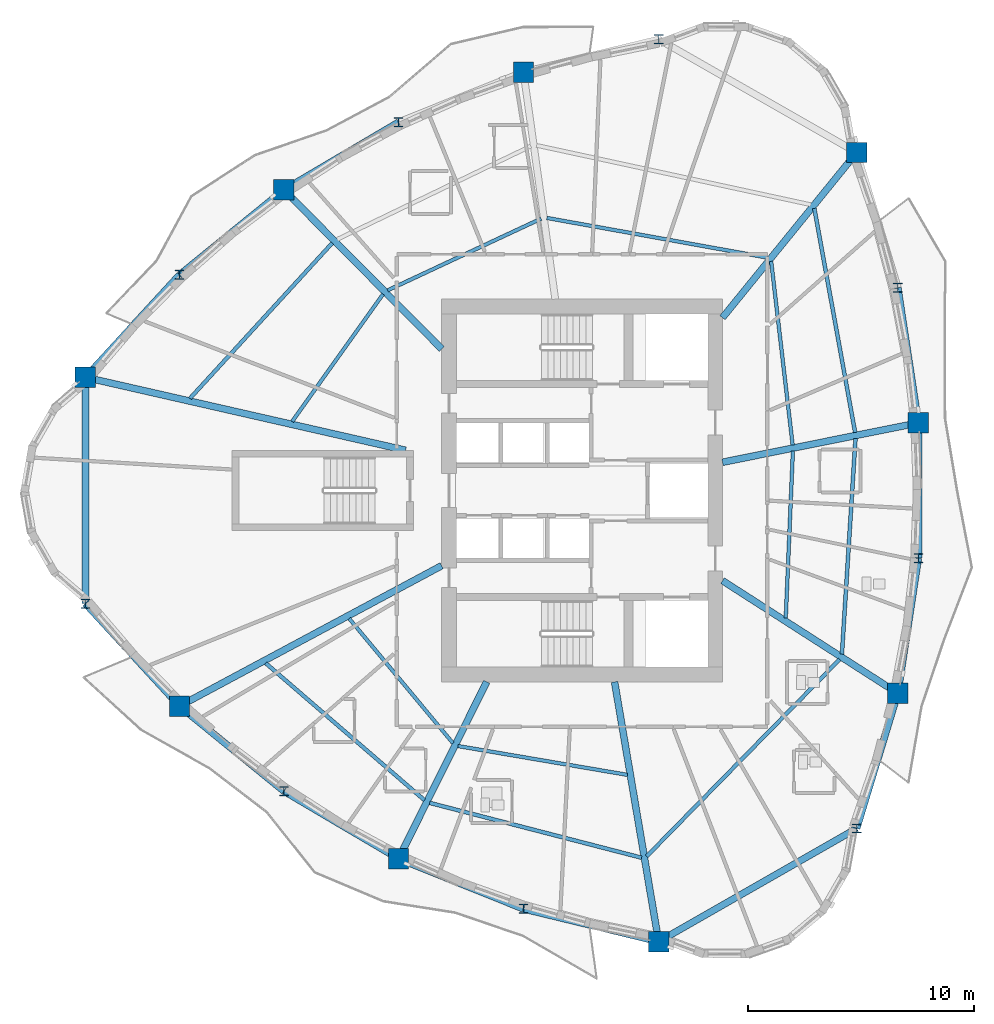
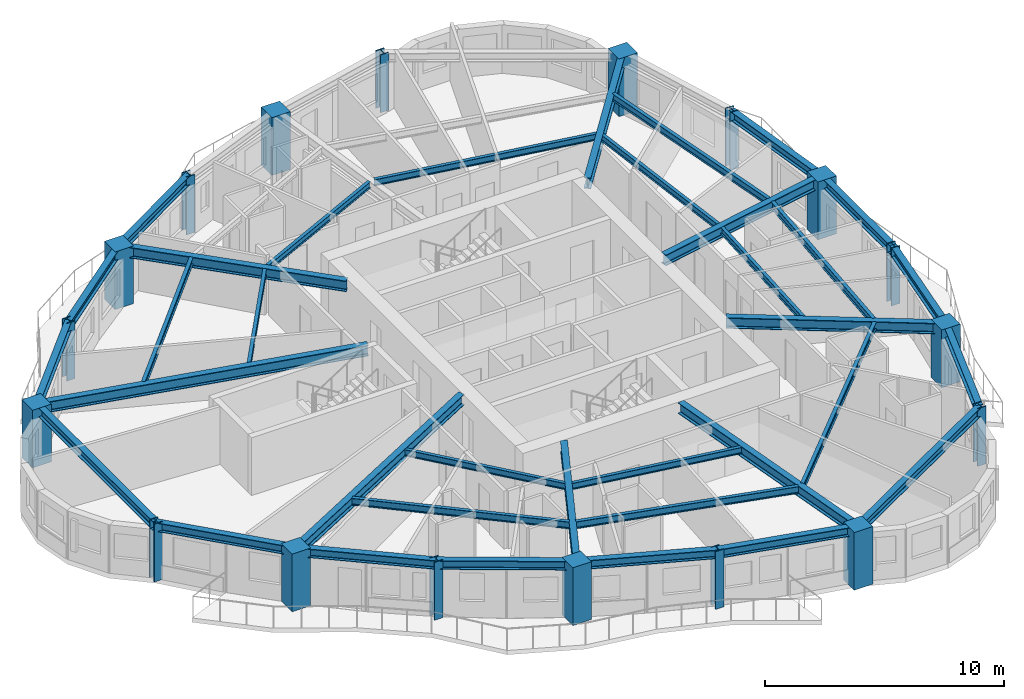
# One storey, part 1 of 13: 35 beams, 18 columns.
"""IFC4 building model written with IfcOpenShell, lengths in metres."""

from ifc_helpers import new_model, si_unit, direction, frame, origin, origin_2d, place, context, subcontext, project, spatial, rectangle, i_section, extrude, source, transform, mapped, material, material_profile, profile_set, type_object, element, save


model = new_model("IFC4")

# Units and contexts
model_context = context("Model", 3, precision=1e-05, world=origin(), true_north=direction((0.0, 1.0)))
body_context = subcontext(model_context, "Body", "Model", "MODEL_VIEW")
ifc_project = project(units=[si_unit("LENGTHUNIT", "METRE"), si_unit("AREAUNIT", "SQUARE_METRE"), si_unit("VOLUMEUNIT", "CUBIC_METRE"), si_unit("PLANEANGLEUNIT", "RADIAN"), si_unit("MASSUNIT", "GRAM", prefix="KILO")], contexts=[model_context])

# Site, building, storey
site_placement = place(None, origin())
site = spatial("IfcSite", under=ifc_project, at=site_placement, CompositionType="ELEMENT")
building_placement = place(site_placement, origin())
building = spatial("IfcBuilding", under=site, at=building_placement, Name="Qafzar Sky-Pleat Residences", CompositionType="ELEMENT")
storey_placement = place(building_placement, frame((0.0, 0.0, 99.199951171875)))
storey = spatial("IfcBuildingStorey", under=building, at=storey_placement, Name="L29", CompositionType="ELEMENT", Elevation=99.199951171875)

# Columns
ifc_material_1 = material(Name="Concrete C60/75", Category="concrete")
ifc_material_profile_1 = material_profile(ifc_material_1, rectangle(XDim=0.89990234375, YDim=0.89990234375, at=origin_2d()), Name="RC 900x900")
ifc_profile_set_1 = profile_set([ifc_material_profile_1], Name="Concrete C60/75")
column_type_1 = type_object("IfcColumnType", Name="COL-RC-900", PredefinedType="COLUMN", material=ifc_profile_set_1)
shared_shape_1 = source(origin(), body_context, "Body", "SweptSolid", [
    extrude(rectangle(XDim=0.89990234375, YDim=0.89990234375, at=origin_2d()), origin(), (0.0, 0.0, 1.0), 2.949951171875),
])
for number, where, z_axis, x_axis, name in (
    (1, (8.41943359375, 30.996337890625, 0.0), (0.0, 0.0, 1.0), (1.0, 0.0, 0.0), "L29 Perimeter Mega Column 1"),
    (2, (12.57470703125, 16.47998046875, 0.0), (0.0, 0.0, 1.0), (1.0, 0.0, 0.0), "L29 Perimeter Mega Column 3"),
    (3, (22.245849609375, 9.7412109375, 0.0), (0.0, 0.0, 1.0), (1.0, 0.0, 0.0), "L29 Perimeter Mega Column 5"),
    (4, (33.731689453125, 6.080322265625, 0.0), (0.0, 0.0, 1.0), (1.0, 0.0, 0.0), "L29 Perimeter Mega Column 7"),
    (5, (44.292236328125, 17.0458984375, 0.0), (0.0, 0.0, 1.0), (1.0, 0.0, 0.0), "L29 Perimeter Mega Column 9"),
    (6, (45.199462890625, 28.984619140625, 0.0), (0.0, 0.0, 1.0), (1.0, 0.0, 0.0), "L29 Perimeter Mega Column 11"),
    (7, (42.4775390625, 40.92333984375, 0.0), (0.0, 0.0, 1.0), (1.0, 0.0, 0.0), "L29 Perimeter Mega Column 13"),
    (8, (27.761962890625, 44.473876953125, 0.0), (0.0, 0.0, 1.0), (1.0, 0.0, 0.0), "L29 Perimeter Mega Column 15"),
    (9, (17.18359375, 39.274169921875, 0.0), (0.0, 0.0, 1.0), (1.0, 0.0, 0.0), "L29 Perimeter Mega Column 17"),
):
    element("IfcColumn", number, at=place(storey_placement, frame(where, z_axis=z_axis, x_axis=x_axis)), inside=storey, type_object=column_type_1, Name=name, PredefinedType="COLUMN", context=body_context, shape_type="MappedRepresentation", body=[
        mapped(shared_shape_1, transform((0.0, 0.0, 0.0), x_axis=(1.0, 0.0, 0.0), y_axis=(0.0, 1.0, 0.0), z_axis=(0.0, 0.0, 1.0), scale=1.0)),
    ])
ifc_material_2 = material(Name="Steel S460", Category="steel")
ifc_material_profile_2 = material_profile(ifc_material_2, i_section(OverallWidth=0.406005859375, OverallDepth=0.416015625, WebThickness=0.027099609375, FlangeThickness=0.0439453125, FilletRadius=0.014892578125, at=origin_2d()), Name="HD 400x382")
ifc_profile_set_2 = profile_set([ifc_material_profile_2], Name="Steel S460")
column_type_2 = type_object("IfcColumnType", Name="COL-STL-HD382", PredefinedType="PILASTER", material=ifc_profile_set_2)
shared_shape_2 = source(origin(), body_context, "Body", "SweptSolid", [
    extrude(i_section(OverallWidth=0.406005859375, OverallDepth=0.416015625, WebThickness=0.027099609375, FlangeThickness=0.0439453125, FilletRadius=0.014892578125, at=origin_2d()), origin(), (0.0, 0.0, 1.0), 2.949951171875),
])
for number, where, z_axis, x_axis, name in (
    (10, (8.41943359375, 21.003662109375, 0.0), (0.0, 0.0, 1.0), (1.0, 0.0, 0.0), "L29 Perimeter Mega Column 2"),
    (11, (17.18359375, 12.725830078125, 0.0), (0.0, 0.0, 1.0), (1.0, 0.0, 0.0), "L29 Perimeter Mega Column 4"),
    (12, (27.761962890625, 7.526123046875, 0.0), (0.0, 0.0, 1.0), (1.0, 0.0, 0.0), "L29 Perimeter Mega Column 6"),
    (13, (42.4775390625, 11.07666015625, 0.0), (0.0, 0.0, 1.0), (1.0, 0.0, 0.0), "L29 Perimeter Mega Column 8"),
    (14, (45.199462890625, 23.015380859375, 0.0), (0.0, 0.0, 1.0), (1.0, 0.0, 0.0), "L29 Perimeter Mega Column 10"),
    (15, (44.292236328125, 34.9541015625, 0.0), (0.0, 0.0, 1.0), (1.0, 0.0, 0.0), "L29 Perimeter Mega Column 12"),
    (16, (33.731689453125, 45.919677734375, 0.0), (0.0, 0.0, 1.0), (1.0, 0.0, 0.0), "L29 Perimeter Mega Column 14"),
    (17, (22.245849609375, 42.2587890625, 0.0), (0.0, 0.0, 1.0), (1.0, 0.0, 0.0), "L29 Perimeter Mega Column 16"),
    (18, (12.57470703125, 35.52001953125, 0.0), (0.0, 0.0, 1.0), (1.0, 0.0, 0.0), "L29 Perimeter Mega Column 18"),
):
    element("IfcColumn", number, at=place(storey_placement, frame(where, z_axis=z_axis, x_axis=x_axis)), inside=storey, type_object=column_type_2, Name=name, PredefinedType="PILASTER", context=body_context, shape_type="MappedRepresentation", body=[
        mapped(shared_shape_2, transform((0.0, 0.0, 0.0), x_axis=(1.0, 0.0, 0.0), y_axis=(0.0, 1.0, 0.0), z_axis=(0.0, 0.0, 1.0), scale=1.0)),
    ])

# Beams
ifc_material_3 = material(Name="Steel S355", Category="steel")
ifc_material_profile_3 = material_profile(ifc_material_3, i_section(OverallWidth=0.300048828125, OverallDepth=0.449951171875, WebThickness=0.013916015625, FlangeThickness=0.02587890625, FilletRadius=0.027099609375, at=origin_2d()), Name="HEB 450")
ifc_profile_set_3 = profile_set([ifc_material_profile_3], Name="Steel S355")
beam_type_1 = type_object("IfcBeamType", Name="BM-SPAN-HEB450", PredefinedType="SPANDREL", material=ifc_profile_set_3)
shared_shape_3 = source(origin(), body_context, "Body", "SweptSolid", [
    extrude(i_section(OverallWidth=0.300048828125, OverallDepth=0.449951171875, WebThickness=0.013916015625, FlangeThickness=0.02587890625, FilletRadius=0.027099609375, at=origin_2d()), origin(), (0.0, 0.0, 1.0), 9.99267578125),
])
beam_1_placement = place(storey_placement, frame((8.41943359375, 30.996337890625, 2.72314453125), z_axis=(0.0, -1.0, 0.0), x_axis=(1.0, 0.0, 0.0)))
element("IfcBeam", 19, at=beam_1_placement, inside=storey, type_object=beam_type_1, Name="L29 Perimeter Spandrel Beam 1", PredefinedType="SPANDREL", context=body_context, shape_type="MappedRepresentation", body=[
    mapped(shared_shape_3, transform((0.0, 0.0, 0.0), x_axis=(1.0, 0.0, 0.0), y_axis=(0.0, 1.0, 0.0), z_axis=(0.0, 0.0, 1.0), scale=1.0)),
])
shared_shape_4 = source(origin(), body_context, "Body", "SweptSolid", [
    extrude(i_section(OverallWidth=0.300048828125, OverallDepth=0.449951171875, WebThickness=0.013916015625, FlangeThickness=0.02587890625, FilletRadius=0.027099609375, at=origin_2d()), origin(), (0.0, 0.0, 1.0), 6.142578125),
])
for number, where, z_axis, x_axis, name in (
    (20, (8.41943359375, 21.003662109375, 2.72314453125), (0.676482000966, -0.736459165446, 0.0), (0.736459165446, 0.676482000966, 0.0), "L29 Perimeter Spandrel Beam 2"),
    (21, (12.57470703125, 35.52001953125, 2.72314453125), (-0.676482000966, -0.736459165446, 0.0), (0.736459165446, -0.676482000966, 0.0), "L29 Perimeter Spandrel Beam 18"),
):
    element("IfcBeam", number, at=place(storey_placement, frame(where, z_axis=z_axis, x_axis=x_axis)), inside=storey, type_object=beam_type_1, Name=name, PredefinedType="SPANDREL", context=body_context, shape_type="MappedRepresentation", body=[
        mapped(shared_shape_4, transform((0.0, 0.0, 0.0), x_axis=(1.0, 0.0, 0.0), y_axis=(0.0, 1.0, 0.0), z_axis=(0.0, 0.0, 1.0), scale=1.0)),
    ])
shared_shape_5 = source(origin(), body_context, "Body", "SweptSolid", [
    extrude(i_section(OverallWidth=0.300048828125, OverallDepth=0.449951171875, WebThickness=0.013916015625, FlangeThickness=0.02587890625, FilletRadius=0.027099609375, at=origin_2d()), origin(), (0.0, 0.0, 1.0), 5.9443359375),
])
for number, where, z_axis, x_axis, name in (
    (22, (12.57470703125, 16.47998046875, 2.72314453125), (0.775337026336, -0.631547698589, 0.0), (0.631547698589, 0.775337026336, 0.0), "L29 Perimeter Spandrel Beam 3"),
    (23, (22.245849609375, 9.7412109375, 2.72314453125), (0.927974486614, -0.372643733604, 0.0), (0.372643733604, 0.927974486614, 0.0), "L29 Perimeter Spandrel Beam 5"),
    (24, (17.18359375, 39.274169921875, 2.72314453125), (-0.775337026336, -0.631547698589, 0.0), (0.631547698589, -0.775337026336, 0.0), "L29 Perimeter Spandrel Beam 17"),
):
    element("IfcBeam", number, at=place(storey_placement, frame(where, z_axis=z_axis, x_axis=x_axis)), inside=storey, type_object=beam_type_1, Name=name, PredefinedType="SPANDREL", context=body_context, shape_type="MappedRepresentation", body=[
        mapped(shared_shape_5, transform((0.0, 0.0, 0.0), x_axis=(1.0, 0.0, 0.0), y_axis=(0.0, 1.0, 0.0), z_axis=(0.0, 0.0, 1.0), scale=1.0)),
    ])
shared_shape_6 = source(origin(), body_context, "Body", "SweptSolid", [
    extrude(i_section(OverallWidth=0.300048828125, OverallDepth=0.449951171875, WebThickness=0.013916015625, FlangeThickness=0.02587890625, FilletRadius=0.027099609375, at=origin_2d()), origin(), (0.0, 0.0, 1.0), 5.876708984375),
])
for number, where, z_axis, x_axis, name in (
    (25, (17.18359375, 12.725830078125, 2.72314453125), (0.861426491519, -0.507882269536, 0.0), (0.507882269536, 0.861426491519, 0.0), "L29 Perimeter Spandrel Beam 4"),
    (26, (22.245849609375, 42.2587890625, 2.72314453125), (-0.861426491519, -0.507882269536, 0.0), (0.507882269536, -0.861426491519, 0.0), "L29 Perimeter Spandrel Beam 16"),
):
    element("IfcBeam", number, at=place(storey_placement, frame(where, z_axis=z_axis, x_axis=x_axis)), inside=storey, type_object=beam_type_1, Name=name, PredefinedType="SPANDREL", context=body_context, shape_type="MappedRepresentation", body=[
        mapped(shared_shape_6, transform((0.0, 0.0, 0.0), x_axis=(1.0, 0.0, 0.0), y_axis=(0.0, 1.0, 0.0), z_axis=(0.0, 0.0, 1.0), scale=1.0)),
    ])
shared_shape_7 = source(origin(), body_context, "Body", "SweptSolid", [
    extrude(i_section(OverallWidth=0.300048828125, OverallDepth=0.449951171875, WebThickness=0.013916015625, FlangeThickness=0.02587890625, FilletRadius=0.027099609375, at=origin_2d()), origin(), (0.0, 0.0, 1.0), 6.142333984375),
])
beam_2_placement = place(storey_placement, frame((27.761962890625, 7.526123046875, 2.72314453125), z_axis=(0.971902480603, -0.235383874126, 0.0), x_axis=(0.235383874126, 0.971902480603, 0.0)))
element("IfcBeam", 27, at=beam_2_placement, inside=storey, type_object=beam_type_1, Name="L29 Perimeter Spandrel Beam 6", PredefinedType="SPANDREL", context=body_context, shape_type="MappedRepresentation", body=[
    mapped(shared_shape_7, transform((0.0, 0.0, 0.0), x_axis=(1.0, 0.0, 0.0), y_axis=(0.0, 1.0, 0.0), z_axis=(0.0, 0.0, 1.0), scale=1.0)),
])
shared_shape_8 = source(origin(), body_context, "Body", "SweptSolid", [
    extrude(i_section(OverallWidth=0.300048828125, OverallDepth=0.449951171875, WebThickness=0.013916015625, FlangeThickness=0.02587890625, FilletRadius=0.027099609375, at=origin_2d()), origin(), (0.0, 0.0, 1.0), 10.072509765625),
])
beam_3_placement = place(storey_placement, frame((33.731689453125, 6.080322265625, 2.72314453125), z_axis=(0.868298326114, 0.496042353905, 0.0), x_axis=(-0.496042353905, 0.868298326114, 0.0)))
element("IfcBeam", 28, at=beam_3_placement, inside=storey, type_object=beam_type_1, Name="L29 Perimeter Spandrel Beam 7", PredefinedType="SPANDREL", context=body_context, shape_type="MappedRepresentation", body=[
    mapped(shared_shape_8, transform((0.0, 0.0, 0.0), x_axis=(1.0, 0.0, 0.0), y_axis=(0.0, 1.0, 0.0), z_axis=(0.0, 0.0, 1.0), scale=1.0)),
])
shared_shape_9 = source(origin(), body_context, "Body", "SweptSolid", [
    extrude(i_section(OverallWidth=0.300048828125, OverallDepth=0.449951171875, WebThickness=0.013916015625, FlangeThickness=0.02587890625, FilletRadius=0.027099609375, at=origin_2d()), origin(), (0.0, 0.0, 1.0), 6.239013671875),
])
beam_4_placement = place(storey_placement, frame((42.4775390625, 11.07666015625, 2.72314453125), z_axis=(0.290864189028, 0.956764351103, 0.0), x_axis=(-0.956764351103, 0.290864189028, 0.0)))
element("IfcBeam", 29, at=beam_4_placement, inside=storey, type_object=beam_type_1, Name="L29 Perimeter Spandrel Beam 8", PredefinedType="SPANDREL", context=body_context, shape_type="MappedRepresentation", body=[
    mapped(shared_shape_9, transform((0.0, 0.0, 0.0), x_axis=(1.0, 0.0, 0.0), y_axis=(0.0, 1.0, 0.0), z_axis=(0.0, 0.0, 1.0), scale=1.0)),
])
shared_shape_10 = source(origin(), body_context, "Body", "SweptSolid", [
    extrude(i_section(OverallWidth=0.300048828125, OverallDepth=0.449951171875, WebThickness=0.013916015625, FlangeThickness=0.02587890625, FilletRadius=0.027099609375, at=origin_2d()), origin(), (0.0, 0.0, 1.0), 6.0380859375),
])
for number, where, z_axis, x_axis, name in (
    (30, (44.292236328125, 17.0458984375, 2.72314453125), (0.150252132609, 0.988647711092, 0.0), (-0.988647711092, 0.150252132609, 0.0), "L29 Perimeter Spandrel Beam 9"),
    (31, (45.199462890625, 28.984619140625, 2.72314453125), (-0.150252132609, 0.988647711092, 0.0), (-0.988647711092, -0.150252132609, 0.0), "L29 Perimeter Spandrel Beam 11"),
):
    element("IfcBeam", number, at=place(storey_placement, frame(where, z_axis=z_axis, x_axis=x_axis)), inside=storey, type_object=beam_type_1, Name=name, PredefinedType="SPANDREL", context=body_context, shape_type="MappedRepresentation", body=[
        mapped(shared_shape_10, transform((0.0, 0.0, 0.0), x_axis=(1.0, 0.0, 0.0), y_axis=(0.0, 1.0, 0.0), z_axis=(0.0, 0.0, 1.0), scale=1.0)),
    ])
shared_shape_11 = source(origin(), body_context, "Body", "SweptSolid", [
    extrude(i_section(OverallWidth=0.300048828125, OverallDepth=0.449951171875, WebThickness=0.013916015625, FlangeThickness=0.02587890625, FilletRadius=0.027099609375, at=origin_2d()), origin(), (0.0, 0.0, 1.0), 5.96923828125),
])
beam_5_placement = place(storey_placement, frame((45.199462890625, 23.015380859375, 2.72314453125), z_axis=(0.0, 1.0, 0.0), x_axis=(-1.0, 0.0, 0.0)))
element("IfcBeam", 32, at=beam_5_placement, inside=storey, type_object=beam_type_1, Name="L29 Perimeter Spandrel Beam 10", PredefinedType="SPANDREL", context=body_context, shape_type="MappedRepresentation", body=[
    mapped(shared_shape_11, transform((0.0, 0.0, 0.0), x_axis=(1.0, 0.0, 0.0), y_axis=(0.0, 1.0, 0.0), z_axis=(0.0, 0.0, 1.0), scale=1.0)),
])
ifc_material_profile_4 = material_profile(ifc_material_3, i_section(OverallWidth=0.300048828125, OverallDepth=0.550048828125, WebThickness=0.014892578125, FlangeThickness=0.029052734375, FilletRadius=0.027099609375, at=origin_2d()), Name="HEB 550")
ifc_profile_set_4 = profile_set([ifc_material_profile_4], Name="Steel S355")
beam_type_2 = type_object("IfcBeamType", Name="BM-GIRD-HEB550", PredefinedType="BEAM", material=ifc_profile_set_4)
shared_shape_12 = source(origin(), body_context, "Body", "SweptSolid", [
    extrude(i_section(OverallWidth=0.300048828125, OverallDepth=0.550048828125, WebThickness=0.014892578125, FlangeThickness=0.029052734375, FilletRadius=0.027099609375, at=origin_2d()), origin(), (0.0, 0.0, 1.0), 14.501708984375),
])
beam_6_placement = place(storey_placement, frame((8.41943359375, 30.996337890625, 2.673095703125), z_axis=(0.975014473229, -0.22214134463, 0.0), x_axis=(0.22214134463, 0.975014473229, 0.0)))
element("IfcBeam", 33, at=beam_6_placement, inside=storey, type_object=beam_type_2, Name="L29 Radial Floor Girder 1", PredefinedType="BEAM", context=body_context, shape_type="MappedRepresentation", body=[
    mapped(shared_shape_12, transform((0.0, 0.0, 0.0), x_axis=(1.0, 0.0, 0.0), y_axis=(0.0, 1.0, 0.0), z_axis=(0.0, 0.0, 1.0), scale=1.0)),
])
shared_shape_13 = source(origin(), body_context, "Body", "SweptSolid", [
    extrude(i_section(OverallWidth=0.300048828125, OverallDepth=0.550048828125, WebThickness=0.014892578125, FlangeThickness=0.029052734375, FilletRadius=0.027099609375, at=origin_2d()), origin(), (0.0, 0.0, 1.0), 13.130859375),
])
beam_7_placement = place(storey_placement, frame((12.57470703125, 16.47998046875, 2.673095703125), z_axis=(0.881528612893, 0.472130601265, 0.0), x_axis=(-0.472130601265, 0.881528612893, 0.0)))
element("IfcBeam", 34, at=beam_7_placement, inside=storey, type_object=beam_type_2, Name="L29 Radial Floor Girder 3", PredefinedType="BEAM", context=body_context, shape_type="MappedRepresentation", body=[
    mapped(shared_shape_13, transform((0.0, 0.0, 0.0), x_axis=(1.0, 0.0, 0.0), y_axis=(0.0, 1.0, 0.0), z_axis=(0.0, 0.0, 1.0), scale=1.0)),
])
shared_shape_14 = source(origin(), body_context, "Body", "SweptSolid", [
    extrude(i_section(OverallWidth=0.300048828125, OverallDepth=0.550048828125, WebThickness=0.014892578125, FlangeThickness=0.029052734375, FilletRadius=0.027099609375, at=origin_2d()), origin(), (0.0, 0.0, 1.0), 8.72509765625),
])
beam_8_placement = place(storey_placement, frame((22.245849609375, 9.7412109375, 2.673095703125), z_axis=(0.446105194509, 0.894980533549, 0.0), x_axis=(-0.894980533549, 0.446105194509, 0.0)))
element("IfcBeam", 35, at=beam_8_placement, inside=storey, type_object=beam_type_2, Name="L29 Radial Floor Girder 5", PredefinedType="BEAM", context=body_context, shape_type="MappedRepresentation", body=[
    mapped(shared_shape_14, transform((0.0, 0.0, 0.0), x_axis=(1.0, 0.0, 0.0), y_axis=(0.0, 1.0, 0.0), z_axis=(0.0, 0.0, 1.0), scale=1.0)),
])
shared_shape_15 = source(origin(), body_context, "Body", "SweptSolid", [
    extrude(i_section(OverallWidth=0.300048828125, OverallDepth=0.550048828125, WebThickness=0.014892578125, FlangeThickness=0.029052734375, FilletRadius=0.027099609375, at=origin_2d()), origin(), (0.0, 0.0, 1.0), 11.6337890625),
])
beam_9_placement = place(storey_placement, frame((33.731689453125, 6.080322265625, 2.673095703125), z_axis=(-0.167358895541, 0.985896039186, 0.0), x_axis=(-0.985896039186, -0.167358895541, 0.0)))
element("IfcBeam", 36, at=beam_9_placement, inside=storey, type_object=beam_type_2, Name="L29 Radial Floor Girder 7", PredefinedType="BEAM", context=body_context, shape_type="MappedRepresentation", body=[
    mapped(shared_shape_15, transform((0.0, 0.0, 0.0), x_axis=(1.0, 0.0, 0.0), y_axis=(0.0, 1.0, 0.0), z_axis=(0.0, 0.0, 1.0), scale=1.0)),
])
shared_shape_16 = source(origin(), body_context, "Body", "SweptSolid", [
    extrude(i_section(OverallWidth=0.300048828125, OverallDepth=0.550048828125, WebThickness=0.014892578125, FlangeThickness=0.029052734375, FilletRadius=0.027099609375, at=origin_2d()), origin(), (0.0, 0.0, 1.0), 9.201416015625),
])
beam_10_placement = place(storey_placement, frame((44.292236328125, 17.0458984375, 2.673095703125), z_axis=(-0.841411158947, 0.540395467781, 0.0), x_axis=(-0.540395467781, -0.841411158947, 0.0)))
element("IfcBeam", 37, at=beam_10_placement, inside=storey, type_object=beam_type_2, Name="L29 Radial Floor Girder 9", PredefinedType="BEAM", context=body_context, shape_type="MappedRepresentation", body=[
    mapped(shared_shape_16, transform((0.0, 0.0, 0.0), x_axis=(1.0, 0.0, 0.0), y_axis=(0.0, 1.0, 0.0), z_axis=(0.0, 0.0, 1.0), scale=1.0)),
])
shared_shape_17 = source(origin(), body_context, "Body", "SweptSolid", [
    extrude(i_section(OverallWidth=0.300048828125, OverallDepth=0.550048828125, WebThickness=0.014892578125, FlangeThickness=0.029052734375, FilletRadius=0.027099609375, at=origin_2d()), origin(), (0.0, 0.0, 1.0), 8.822509765625),
])
beam_11_placement = place(storey_placement, frame((45.199462890625, 28.984619140625, 2.673095703125), z_axis=(-0.980391835396, -0.197057984076, 0.0), x_axis=(0.197057984076, -0.980391835396, 0.0)))
element("IfcBeam", 38, at=beam_11_placement, inside=storey, type_object=beam_type_2, Name="L29 Radial Floor Girder 11", PredefinedType="BEAM", context=body_context, shape_type="MappedRepresentation", body=[
    mapped(shared_shape_17, transform((0.0, 0.0, 0.0), x_axis=(1.0, 0.0, 0.0), y_axis=(0.0, 1.0, 0.0), z_axis=(0.0, 0.0, 1.0), scale=1.0)),
])
shared_shape_18 = source(origin(), body_context, "Body", "SweptSolid", [
    extrude(i_section(OverallWidth=0.300048828125, OverallDepth=0.550048828125, WebThickness=0.014892578125, FlangeThickness=0.029052734375, FilletRadius=0.027099609375, at=origin_2d()), origin(), (0.0, 0.0, 1.0), 9.398681640625),
])
beam_12_placement = place(storey_placement, frame((42.4775390625, 40.92333984375, 2.673095703125), z_axis=(-0.630666943609, -0.776053610415, 0.0), x_axis=(0.776053610415, -0.630666943609, 0.0)))
element("IfcBeam", 39, at=beam_12_placement, inside=storey, type_object=beam_type_2, Name="L29 Radial Floor Girder 13", PredefinedType="BEAM", context=body_context, shape_type="MappedRepresentation", body=[
    mapped(shared_shape_18, transform((0.0, 0.0, 0.0), x_axis=(1.0, 0.0, 0.0), y_axis=(0.0, 1.0, 0.0), z_axis=(0.0, 0.0, 1.0), scale=1.0)),
])
shared_shape_19 = source(origin(), body_context, "Body", "SweptSolid", [
    extrude(i_section(OverallWidth=0.300048828125, OverallDepth=0.550048828125, WebThickness=0.014892578125, FlangeThickness=0.029052734375, FilletRadius=0.027099609375, at=origin_2d()), origin(), (0.0, 0.0, 1.0), 9.892333984375),
])
beam_13_placement = place(storey_placement, frame((17.18359375, 39.274169921875, 2.673095703125), z_axis=(0.704213349063, -0.709988421737, 0.0), x_axis=(0.709988421737, 0.704213349063, 0.0)))
element("IfcBeam", 40, at=beam_13_placement, inside=storey, type_object=beam_type_2, Name="L29 Radial Floor Girder 17", PredefinedType="BEAM", context=body_context, shape_type="MappedRepresentation", body=[
    mapped(shared_shape_19, transform((0.0, 0.0, 0.0), x_axis=(1.0, 0.0, 0.0), y_axis=(0.0, 1.0, 0.0), z_axis=(0.0, 0.0, 1.0), scale=1.0)),
])
ifc_material_profile_5 = material_profile(ifc_material_3, i_section(OverallWidth=0.169921875, OverallDepth=0.360107421875, WebThickness=0.008056640625, FlangeThickness=0.0126953125, FilletRadius=0.01806640625, at=origin_2d()), Name="IPE 360")
ifc_profile_set_5 = profile_set([ifc_material_profile_5], Name="Steel S355")
beam_type_3 = type_object("IfcBeamType", Name="BM-JST-IPE360", PredefinedType="JOIST", material=ifc_profile_set_5)
shared_shape_20 = source(origin(), body_context, "Body", "SweptSolid", [
    extrude(i_section(OverallWidth=0.169921875, OverallDepth=0.360107421875, WebThickness=0.008056640625, FlangeThickness=0.0126953125, FilletRadius=0.01806640625, at=origin_2d()), origin(), (0.0, 0.0, 1.0), 9.256591796875),
])
beam_14_placement = place(storey_placement, frame((16.381103515625, 18.37548828125, 2.76806640625), z_axis=(0.757092779246, -0.653307372998, 0.0), x_axis=(0.653307372998, 0.757092779246, 0.0)))
element("IfcBeam", 41, at=beam_14_placement, inside=storey, type_object=beam_type_3, Name="L29 Outer Secondary Floor Joist 2", PredefinedType="JOIST", context=body_context, shape_type="MappedRepresentation", body=[
    mapped(shared_shape_20, transform((0.0, 0.0, 0.0), x_axis=(1.0, 0.0, 0.0), y_axis=(0.0, 1.0, 0.0), z_axis=(0.0, 0.0, 1.0), scale=1.0)),
])
shared_shape_21 = source(origin(), body_context, "Body", "SweptSolid", [
    extrude(i_section(OverallWidth=0.169921875, OverallDepth=0.360107421875, WebThickness=0.008056640625, FlangeThickness=0.0126953125, FilletRadius=0.01806640625, at=origin_2d()), origin(), (0.0, 0.0, 1.0), 9.664306640625),
])
beam_15_placement = place(storey_placement, frame((23.6220703125, 12.206298828125, 2.76806640625), z_axis=(0.968090929501, -0.250599186385, 0.0), x_axis=(0.250599186385, 0.968090929501, 0.0)))
element("IfcBeam", 42, at=beam_15_placement, inside=storey, type_object=beam_type_3, Name="L29 Outer Secondary Floor Joist 3", PredefinedType="JOIST", context=body_context, shape_type="MappedRepresentation", body=[
    mapped(shared_shape_21, transform((0.0, 0.0, 0.0), x_axis=(1.0, 0.0, 0.0), y_axis=(0.0, 1.0, 0.0), z_axis=(0.0, 0.0, 1.0), scale=1.0)),
])
shared_shape_22 = source(origin(), body_context, "Body", "SweptSolid", [
    extrude(i_section(OverallWidth=0.169921875, OverallDepth=0.360107421875, WebThickness=0.008056640625, FlangeThickness=0.0126953125, FilletRadius=0.01806640625, at=origin_2d()), origin(), (0.0, 0.0, 1.0), 12.17041015625),
])
beam_16_placement = place(storey_placement, frame((33.203125, 9.84716796875, 2.76806640625), z_axis=(0.699817856414, 0.714321333746, 0.0), x_axis=(-0.714321333746, 0.699817856414, 0.0)))
element("IfcBeam", 43, at=beam_16_placement, inside=storey, type_object=beam_type_3, Name="L29 Outer Secondary Floor Joist 4", PredefinedType="JOIST", context=body_context, shape_type="MappedRepresentation", body=[
    mapped(shared_shape_22, transform((0.0, 0.0, 0.0), x_axis=(1.0, 0.0, 0.0), y_axis=(0.0, 1.0, 0.0), z_axis=(0.0, 0.0, 1.0), scale=1.0)),
])
shared_shape_23 = source(origin(), body_context, "Body", "SweptSolid", [
    extrude(i_section(OverallWidth=0.169921875, OverallDepth=0.360107421875, WebThickness=0.008056640625, FlangeThickness=0.0126953125, FilletRadius=0.01806640625, at=origin_2d()), origin(), (0.0, 0.0, 1.0), 9.540771484375),
])
beam_17_placement = place(storey_placement, frame((41.8232421875, 18.771728515625, 2.76806640625), z_axis=(0.062872135971, 0.998021590207, 0.0), x_axis=(-0.998021590207, 0.062872135971, 0.0)))
element("IfcBeam", 44, at=beam_17_placement, inside=storey, type_object=beam_type_3, Name="L29 Outer Secondary Floor Joist 5", PredefinedType="JOIST", context=body_context, shape_type="MappedRepresentation", body=[
    mapped(shared_shape_23, transform((0.0, 0.0, 0.0), x_axis=(1.0, 0.0, 0.0), y_axis=(0.0, 1.0, 0.0), z_axis=(0.0, 0.0, 1.0), scale=1.0)),
])
shared_shape_24 = source(origin(), body_context, "Body", "SweptSolid", [
    extrude(i_section(OverallWidth=0.169921875, OverallDepth=0.360107421875, WebThickness=0.008056640625, FlangeThickness=0.0126953125, FilletRadius=0.01806640625, at=origin_2d()), origin(), (0.0, 0.0, 1.0), 10.057861328125),
])
beam_18_placement = place(storey_placement, frame((42.407470703125, 28.561279296875, 2.76806640625), z_axis=(-0.179212248555, 0.98381043396, 0.0), x_axis=(-0.98381043396, -0.179212248555, 0.0)))
element("IfcBeam", 45, at=beam_18_placement, inside=storey, type_object=beam_type_3, Name="L29 Outer Secondary Floor Joist 6", PredefinedType="JOIST", context=body_context, shape_type="MappedRepresentation", body=[
    mapped(shared_shape_24, transform((0.0, 0.0, 0.0), x_axis=(1.0, 0.0, 0.0), y_axis=(0.0, 1.0, 0.0), z_axis=(0.0, 0.0, 1.0), scale=1.0)),
])
shared_shape_25 = source(origin(), body_context, "Body", "SweptSolid", [
    extrude(i_section(OverallWidth=0.169921875, OverallDepth=0.360107421875, WebThickness=0.008056640625, FlangeThickness=0.0126953125, FilletRadius=0.01806640625, at=origin_2d()), origin(), (0.0, 0.0, 1.0), 9.30615234375),
])
beam_19_placement = place(storey_placement, frame((19.321533203125, 36.927001953125, 2.76806640625), z_axis=(-0.675485809651, -0.737372986324, 0.0), x_axis=(0.737372986324, -0.675485809651, 0.0)))
element("IfcBeam", 46, at=beam_19_placement, inside=storey, type_object=beam_type_3, Name="L29 Outer Secondary Floor Joist 9", PredefinedType="JOIST", context=body_context, shape_type="MappedRepresentation", body=[
    mapped(shared_shape_25, transform((0.0, 0.0, 0.0), x_axis=(1.0, 0.0, 0.0), y_axis=(0.0, 1.0, 0.0), z_axis=(0.0, 0.0, 1.0), scale=1.0)),
])
ifc_material_profile_6 = material_profile(ifc_material_3, i_section(OverallWidth=0.159912109375, OverallDepth=0.330078125, WebThickness=0.007568359375, FlangeThickness=0.011474609375, FilletRadius=0.01806640625, at=origin_2d()), Name="IPE 330")
ifc_profile_set_6 = profile_set([ifc_material_profile_6], Name="Steel S355")
beam_type_4 = type_object("IfcBeamType", Name="BM-JST-IPE330", PredefinedType="JOIST", material=ifc_profile_set_6)
shared_shape_26 = source(origin(), body_context, "Body", "SweptSolid", [
    extrude(i_section(OverallWidth=0.159912109375, OverallDepth=0.330078125, WebThickness=0.007568359375, FlangeThickness=0.011474609375, FilletRadius=0.01806640625, at=origin_2d()), origin(), (0.0, 0.0, 1.0), 7.1591796875),
])
beam_20_placement = place(storey_placement, frame((20.0693359375, 20.343994140625, 2.782958984375), z_axis=(0.639895882468, -0.76846161882, 0.0), x_axis=(0.76846161882, 0.639895882468, 0.0)))
element("IfcBeam", 47, at=beam_20_placement, inside=storey, type_object=beam_type_4, Name="L29 Inner Secondary Floor Joist 2", PredefinedType="JOIST", context=body_context, shape_type="MappedRepresentation", body=[
    mapped(shared_shape_26, transform((0.0, 0.0, 0.0), x_axis=(1.0, 0.0, 0.0), y_axis=(0.0, 1.0, 0.0), z_axis=(0.0, 0.0, 1.0), scale=1.0)),
])
shared_shape_27 = source(origin(), body_context, "Body", "SweptSolid", [
    extrude(i_section(OverallWidth=0.159912109375, OverallDepth=0.330078125, WebThickness=0.007568359375, FlangeThickness=0.011474609375, FilletRadius=0.01806640625, at=origin_2d()), origin(), (0.0, 0.0, 1.0), 7.58984375),
])
beam_21_placement = place(storey_placement, frame((24.8701171875, 14.71630859375, 2.782958984375), z_axis=(0.985840748867, -0.167684280339, 0.0), x_axis=(0.167684280339, 0.985840748867, 0.0)))
element("IfcBeam", 48, at=beam_21_placement, inside=storey, type_object=beam_type_4, Name="L29 Inner Secondary Floor Joist 3", PredefinedType="JOIST", context=body_context, shape_type="MappedRepresentation", body=[
    mapped(shared_shape_27, transform((0.0, 0.0, 0.0), x_axis=(1.0, 0.0, 0.0), y_axis=(0.0, 1.0, 0.0), z_axis=(0.0, 0.0, 1.0), scale=1.0)),
])
shared_shape_28 = source(origin(), body_context, "Body", "SweptSolid", [
    extrude(i_section(OverallWidth=0.159912109375, OverallDepth=0.330078125, WebThickness=0.007568359375, FlangeThickness=0.011474609375, FilletRadius=0.01806640625, at=origin_2d()), origin(), (0.0, 0.0, 1.0), 7.381103515625),
])
beam_22_placement = place(storey_placement, frame((39.343017578125, 20.363037109375, 2.782958984375), z_axis=(0.042702281194, 0.999087841574, 0.0), x_axis=(-0.999087841574, 0.042702281194, 0.0)))
element("IfcBeam", 49, at=beam_22_placement, inside=storey, type_object=beam_type_4, Name="L29 Inner Secondary Floor Joist 5", PredefinedType="JOIST", context=body_context, shape_type="MappedRepresentation", body=[
    mapped(shared_shape_28, transform((0.0, 0.0, 0.0), x_axis=(1.0, 0.0, 0.0), y_axis=(0.0, 1.0, 0.0), z_axis=(0.0, 0.0, 1.0), scale=1.0)),
])
shared_shape_29 = source(origin(), body_context, "Body", "SweptSolid", [
    extrude(i_section(OverallWidth=0.159912109375, OverallDepth=0.330078125, WebThickness=0.007568359375, FlangeThickness=0.011474609375, FilletRadius=0.01806640625, at=origin_2d()), origin(), (0.0, 0.0, 1.0), 8.170166015625),
])
beam_23_placement = place(storey_placement, frame((39.648193359375, 28.006103515625, 2.782958984375), z_axis=(-0.116090499601, 0.993238639956, 0.0), x_axis=(-0.993238639956, -0.116090499601, 0.0)))
element("IfcBeam", 50, at=beam_23_placement, inside=storey, type_object=beam_type_4, Name="L29 Inner Secondary Floor Joist 6", PredefinedType="JOIST", context=body_context, shape_type="MappedRepresentation", body=[
    mapped(shared_shape_29, transform((0.0, 0.0, 0.0), x_axis=(1.0, 0.0, 0.0), y_axis=(0.0, 1.0, 0.0), z_axis=(0.0, 0.0, 1.0), scale=1.0)),
])
shared_shape_30 = source(origin(), body_context, "Body", "SweptSolid", [
    extrude(i_section(OverallWidth=0.159912109375, OverallDepth=0.330078125, WebThickness=0.007568359375, FlangeThickness=0.011474609375, FilletRadius=0.01806640625, at=origin_2d()), origin(), (0.0, 0.0, 1.0), 9.9140625),
])
beam_24_placement = place(storey_placement, frame((38.551025390625, 36.279052734375, 2.782958984375), z_axis=(-0.984195686965, 0.17708430128, 0.0), x_axis=(-0.17708430128, -0.984195686965, 0.0)))
element("IfcBeam", 51, at=beam_24_placement, inside=storey, type_object=beam_type_4, Name="L29 Inner Secondary Floor Joist 7", PredefinedType="JOIST", context=body_context, shape_type="MappedRepresentation", body=[
    mapped(shared_shape_30, transform((0.0, 0.0, 0.0), x_axis=(1.0, 0.0, 0.0), y_axis=(0.0, 1.0, 0.0), z_axis=(0.0, 0.0, 1.0), scale=1.0)),
])
shared_shape_31 = source(origin(), body_context, "Body", "SweptSolid", [
    extrude(i_section(OverallWidth=0.159912109375, OverallDepth=0.330078125, WebThickness=0.007568359375, FlangeThickness=0.011474609375, FilletRadius=0.01806640625, at=origin_2d()), origin(), (0.0, 0.0, 1.0), 7.47705078125),
])
beam_25_placement = place(storey_placement, frame((28.538330078125, 38.00146484375, 2.782958984375), z_axis=(-0.90597197859, -0.42333765957, 0.0), x_axis=(0.42333765957, -0.90597197859, 0.0)))
element("IfcBeam", 52, at=beam_25_placement, inside=storey, type_object=beam_type_4, Name="L29 Inner Secondary Floor Joist 8", PredefinedType="JOIST", context=body_context, shape_type="MappedRepresentation", body=[
    mapped(shared_shape_31, transform((0.0, 0.0, 0.0), x_axis=(1.0, 0.0, 0.0), y_axis=(0.0, 1.0, 0.0), z_axis=(0.0, 0.0, 1.0), scale=1.0)),
])
shared_shape_32 = source(origin(), body_context, "Body", "SweptSolid", [
    extrude(i_section(OverallWidth=0.159912109375, OverallDepth=0.330078125, WebThickness=0.007568359375, FlangeThickness=0.011474609375, FilletRadius=0.01806640625, at=origin_2d()), origin(), (0.0, 0.0, 1.0), 6.91162109375),
])
beam_26_placement = place(storey_placement, frame((21.563720703125, 34.669189453125, 2.782958984375), z_axis=(-0.58113460659, -0.813807452057, 0.0), x_axis=(0.813807452057, -0.58113460659, 0.0)))
element("IfcBeam", 53, at=beam_26_placement, inside=storey, type_object=beam_type_4, Name="L29 Inner Secondary Floor Joist 9", PredefinedType="JOIST", context=body_context, shape_type="MappedRepresentation", body=[
    mapped(shared_shape_32, transform((0.0, 0.0, 0.0), x_axis=(1.0, 0.0, 0.0), y_axis=(0.0, 1.0, 0.0), z_axis=(0.0, 0.0, 1.0), scale=1.0)),
])

save(model, "model.ifc")
